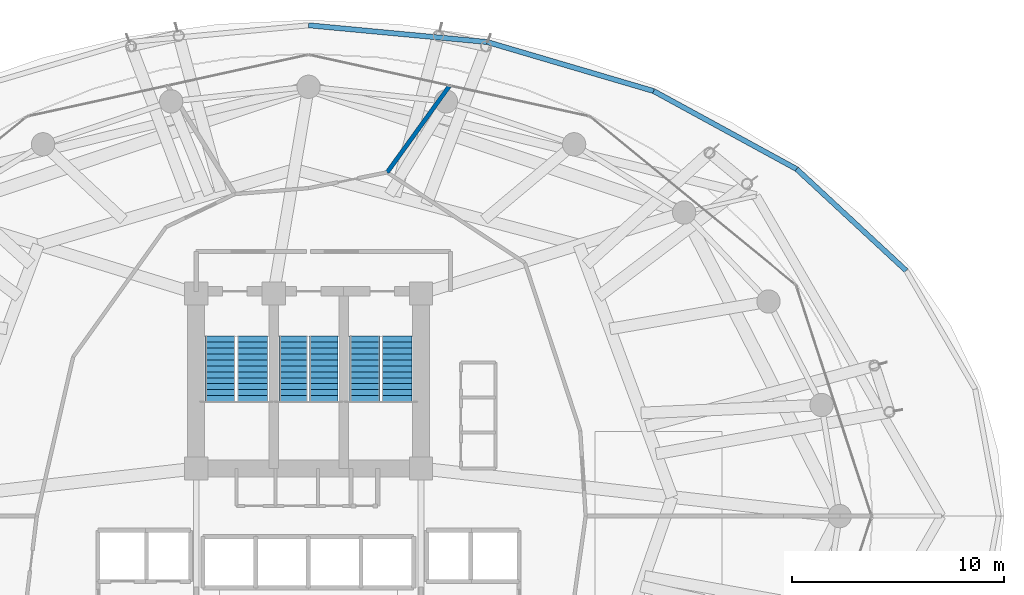
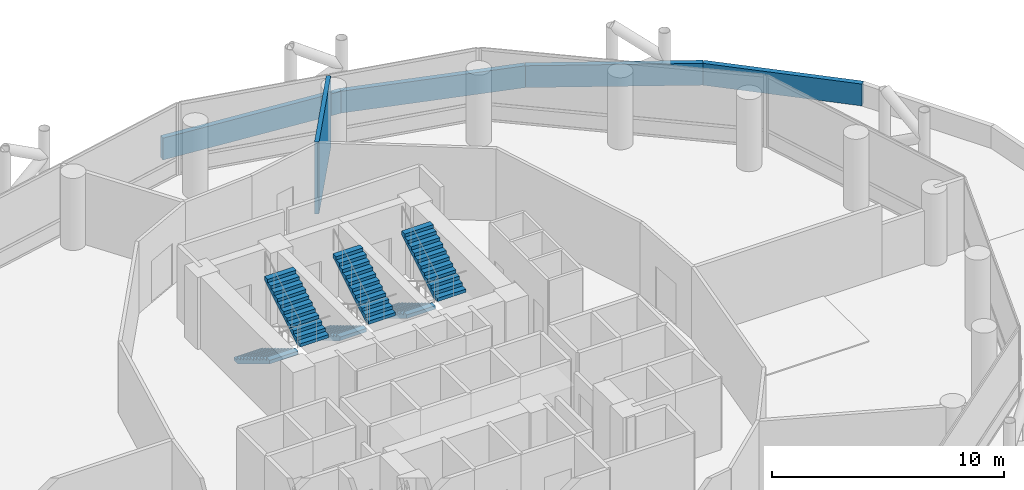
# One storey, part 32 of 37: 6 stair flights, 5 walls, 3 elements without a shape of their own.
"""IFC4 building model written with IfcOpenShell, lengths in metres."""

import ifcopenshell
import ifcopenshell.guid

model = None  # the IFC model being written
_history = None  # IfcOwnerHistory: only IFC2X3 demands one
_inside = {}  # id of a spatial element -> (the spatial element, [elements in it])
_under = {}  # id of a project, library or spatial element -> (it, [spatial elements below it])
_declared = {}  # id of a project -> (the project, [libraries it declares])
_typed = {}  # id of a type object -> (the type object, [elements of that type])
_made_of = {}  # id of a material, layer set ... -> (it, [elements and type objects made of it])


def new_model(schema):
    """Start an empty IFC model of exactly this schema.

    Asked for "IFC4X3", IfcOpenShell would pick the latest addendum, in which some entities
    have other attributes; the version numbers below select the first issue.
    IFC2X3 requires an IfcOwnerHistory on every rooted entity: one is made here for all.
    """
    global model, _history
    if schema == "IFC4X3":
        model = ifcopenshell.file(schema_version=(4, 3, 0, 0))
    else:
        model = ifcopenshell.file(schema=schema)
    _inside.clear()
    _under.clear()
    _declared.clear()
    _typed.clear()
    _made_of.clear()
    _history = None
    if model.schema == "IFC2X3":
        org = make("IfcOrganization", Name="unknown")
        user = make(
            "IfcPersonAndOrganization",
            ThePerson=make("IfcPerson", FamilyName="unknown"),
            TheOrganization=org,
        )
        app = make(
            "IfcApplication",
            ApplicationDeveloper=org,
            Version="unknown",
            ApplicationFullName="unknown",
            ApplicationIdentifier="unknown",
        )
        _history = make(
            "IfcOwnerHistory",
            OwningUser=user,
            OwningApplication=app,
            ChangeAction="ADDED",
            CreationDate=0,
        )
    return model


def make(cls, **values):
    """One entity of the class cls with the attributes given. An attribute that is None is left unset."""
    return model.create_entity(
        cls, **{name: value for name, value in values.items() if value is not None}
    )


def rooted(cls, **values):
    """An entity with a GlobalId (a new one), such as an element, a storey or a relation."""
    return make(cls, GlobalId=ifcopenshell.guid.new(), OwnerHistory=_history, **values)


def si_unit(unit_type, name, prefix=None):
    """IfcSIUnit, for example si_unit("LENGTHUNIT", "METRE", prefix="MILLI")."""
    return make("IfcSIUnit", UnitType=unit_type, Prefix=prefix, Name=name)


def assignment(units):
    """IfcUnitAssignment: the units of a project."""
    return None if units is None else make("IfcUnitAssignment", Units=units)


def point(xyz):
    """IfcCartesianPoint."""
    return None if xyz is None else make("IfcCartesianPoint", Coordinates=xyz)


def direction(xyz):
    """IfcDirection."""
    return None if xyz is None else make("IfcDirection", DirectionRatios=xyz)


def frame(location, z_axis=None, x_axis=None):
    """IfcAxis2Placement3D, a coordinate frame: its origin and axes. An axis left out is left unset."""
    return make(
        "IfcAxis2Placement3D",
        Location=point(location),
        Axis=direction(z_axis),
        RefDirection=direction(x_axis),
    )


def frame_2d(location, x_axis=None):
    """IfcAxis2Placement2D, a coordinate frame in the plane: its origin and x axis."""
    return make(
        "IfcAxis2Placement2D", Location=point(location), RefDirection=direction(x_axis)
    )


def origin():
    """The frame at (0, 0, 0) with its axes left unset."""
    return frame((0.0, 0.0, 0.0))


def place(relative_to, where):
    """IfcLocalPlacement: puts the frame where relative to a parent placement (None: the world)."""
    return make(
        "IfcLocalPlacement", PlacementRelTo=relative_to, RelativePlacement=where
    )


def context(
    kind, dimensions, precision=None, world=None, true_north=None, identifier=None
):
    """IfcGeometricRepresentationContext, for example the 3D "Model" context."""
    return make(
        "IfcGeometricRepresentationContext",
        ContextIdentifier=identifier,
        ContextType=kind,
        CoordinateSpaceDimension=dimensions,
        Precision=precision,
        WorldCoordinateSystem=world,
        TrueNorth=true_north,
    )


def subcontext(parent, identifier, kind, view, scale=None):
    """IfcGeometricRepresentationSubContext, for example "Body" below "Model"."""
    return make(
        "IfcGeometricRepresentationSubContext",
        ContextIdentifier=identifier,
        ContextType=kind,
        ParentContext=parent,
        TargetScale=scale,
        TargetView=view,
    )


def project(units=None, contexts=None):
    """IfcProject with its units and contexts."""
    return rooted(
        "IfcProject",
        Name="project",
        RepresentationContexts=contexts,
        UnitsInContext=assignment(units),
    )


def spatial(cls, under=None, at=None, **own):
    """A site, building, storey or space (cls), placed at a placement, below another one or the project."""
    s = rooted(cls, ObjectPlacement=at, **own)
    if under is not None:
        _under.setdefault(under.id(), (under, []))[1].append(s)
    return s


def polyline(points):
    """IfcPolyline through the points."""
    return make("IfcPolyline", Points=[point(p) for p in points])


def profile(cls, at=None, kind="AREA", **sizes):
    """A parametric profile (cls). Its sizes go by their IFC names, for example OverallWidth=200.0."""
    return make(cls, ProfileType=kind, Position=at, **sizes)


def rectangle(**sizes):
    """IfcRectangleProfileDef."""
    return profile("IfcRectangleProfileDef", **sizes)


def outline(outer, holes=None, kind="AREA"):
    """IfcArbitraryClosedProfileDef: a profile drawn as a closed curve; with holes, ...WithVoids."""
    if holes is None:
        return make("IfcArbitraryClosedProfileDef", ProfileType=kind, OuterCurve=outer)
    return make(
        "IfcArbitraryProfileDefWithVoids",
        ProfileType=kind,
        OuterCurve=outer,
        InnerCurves=holes,
    )


def extrude(swept, where, along, depth):
    """IfcExtrudedAreaSolid: the profile swept, set in the frame where, extruded along a direction by depth."""
    return make(
        "IfcExtrudedAreaSolid",
        SweptArea=swept,
        Position=where,
        ExtrudedDirection=direction(along),
        Depth=depth,
    )


def shape(context_of_items, identifier, shape_type, items):
    """IfcShapeRepresentation: the items that make up one representation, for example the "Body"."""
    return make(
        "IfcShapeRepresentation",
        ContextOfItems=context_of_items,
        RepresentationIdentifier=identifier,
        RepresentationType=shape_type,
        Items=items,
    )


def material(Name=None, Category=None):
    """IfcMaterial."""
    return make("IfcMaterial", Name=Name, Category=Category)


def layer(
    of_material, thickness, ventilated=None, Name=None, Category=None, Priority=None
):
    """IfcMaterialLayer: one layer of a wall or slab, of a material (None: an air gap)."""
    return make(
        "IfcMaterialLayer",
        Material=of_material,
        LayerThickness=thickness,
        IsVentilated=ventilated,
        Name=Name,
        Category=Category,
        Priority=Priority,
    )


def layer_set(layers, Name=None):
    """IfcMaterialLayerSet."""
    return make("IfcMaterialLayerSet", MaterialLayers=layers, LayerSetName=Name)


def made_of(thing, what):
    """Note that an element or type object is made of a material, layer set ...; save() writes the relation."""
    if what is not None:
        _made_of.setdefault(what.id(), (what, []))[1].append(thing)
    return thing


def type_object(cls, material=None, **own):
    """A type object (cls), such as IfcWallType, which elements share."""
    return made_of(rooted(cls, **own), material)


def element(
    cls,
    number,
    at=None,
    inside=None,
    cuts=None,
    type_object=None,
    material=None,
    context=None,
    identifier="Body",
    shape_type=None,
    held_by="IfcProductDefinitionShape",
    body=None,
    shapes=None,
    **own,
):
    """One element of the class cls, such as IfcWall. Its Tag is "e" and its number.

    at: its placement. inside: the storey or other place that contains it. cuts: it is an
    opening in that element (IfcRelVoidsElement). A single representation is given by context,
    identifier, shape_type and body (its items); several are given by shapes. held_by: the class
    of the entity that holds the representations. save() writes the other relations.
    """
    e = rooted(cls, Tag="e%d" % number, ObjectPlacement=at, **own)
    if body is not None:
        shapes = [shape(context, identifier, shape_type, body)]
    if shapes is not None:
        e.Representation = make(held_by, Representations=shapes)
    if inside is not None:
        _inside.setdefault(inside.id(), (inside, []))[1].append(e)
    if cuts is not None:
        rooted(
            "IfcRelVoidsElement", RelatingBuildingElement=cuts, RelatedOpeningElement=e
        )
    if type_object is not None:
        _typed.setdefault(type_object.id(), (type_object, []))[1].append(e)
    return made_of(e, material)


def aggregate(whole, parts):
    """IfcRelAggregates: a whole, such as a stair, and the parts it consists of."""
    return rooted("IfcRelAggregates", RelatingObject=whole, RelatedObjects=parts)


def save(model, path):
    """Write the relations noted so far, then the file.

    IfcRelAggregates (storeys below a building ...), IfcRelContainedInSpatialStructure (elements
    in a storey), IfcRelDefinesByType, IfcRelAssociatesMaterial and IfcRelDeclares: one each for
    every whole, place, type object, material and project.
    """
    for whole, parts in _under.values():
        aggregate(whole, parts)
    for where, things in _inside.values():
        rooted(
            "IfcRelContainedInSpatialStructure",
            RelatedElements=things,
            RelatingStructure=where,
        )
    for kind, things in _typed.values():
        rooted("IfcRelDefinesByType", RelatedObjects=things, RelatingType=kind)
    for what, things in _made_of.values():
        rooted("IfcRelAssociatesMaterial", RelatedObjects=things, RelatingMaterial=what)
    for by, libraries in _declared.values():
        rooted("IfcRelDeclares", RelatingContext=by, RelatedDefinitions=libraries)
    model.write(path)


model = new_model("IFC4")

# Units and contexts
model_context = context("Model", 3, precision=1e-05, world=origin(), true_north=direction((0.0, 1.0)))
body_context = subcontext(model_context, "Body", "Model", "MODEL_VIEW")
ifc_project = project(units=[si_unit("LENGTHUNIT", "METRE"), si_unit("AREAUNIT", "SQUARE_METRE"), si_unit("VOLUMEUNIT", "CUBIC_METRE"), si_unit("PLANEANGLEUNIT", "RADIAN"), si_unit("MASSUNIT", "GRAM", prefix="KILO")], contexts=[model_context])

# Site, building, storey
site_placement = place(None, origin())
site = spatial("IfcSite", under=ifc_project, at=site_placement, CompositionType="ELEMENT")
building_placement = place(site_placement, origin())
building = spatial("IfcBuilding", under=site, at=building_placement, Name="Nuhasar Tower", CompositionType="ELEMENT")
storey_placement = place(building_placement, frame((0.0, 0.0, 21.0)))
storey = spatial("IfcBuildingStorey", under=building, at=storey_placement, Name="L04", CompositionType="ELEMENT", Elevation=21.0)

# Walls
ifc_material_1 = material(Name="Concrete C45/55", Category="concrete")
ifc_layer_1 = layer(ifc_material_1, 0.239990234375)
ifc_layer_set_1 = layer_set([ifc_layer_1], Name="Concrete C45/55")
wall_type_1 = type_object("IfcWallType", Name="WL-PARAPET-240", PredefinedType="PARAPET", material=ifc_layer_set_1)
wall_1_placement = place(storey_placement, frame((67.18896484375, 38.375, 0.0), z_axis=(0.0, 0.0, 1.0), x_axis=(-0.733389888961, 0.679808260298, 0.0)))
element("IfcWall", 1, at=wall_1_placement, inside=storey, type_object=wall_type_1, Name="L04 Podium Roof Parapet 03", PredefinedType="PARAPET", context=body_context, shape_type="SweptSolid", body=[
    extrude(rectangle(XDim=7.05322265625, YDim=0.239990234375, at=frame_2d((3.526611328125, 0.0))), origin(), (0.0, 0.0, 1.0), 1.14990234375),
])
wall_2_placement = place(storey_placement, frame((62.01611328125, 43.169921875, 0.0), z_axis=(0.0, 0.0, 1.0), x_axis=(-0.877843323355, 0.47894790911, 0.0)))
element("IfcWall", 2, at=wall_2_placement, inside=storey, type_object=wall_type_1, Name="L04 Podium Roof Parapet 04", PredefinedType="PARAPET", context=body_context, shape_type="SweptSolid", body=[
    extrude(rectangle(XDim=7.67919921875, YDim=0.239990234375, at=frame_2d((3.839599609375, 0.0))), origin(), (0.0, 0.0, 1.0), 1.14990234375),
])
wall_3_placement = place(storey_placement, frame((55.27490234375, 46.847900390625, 0.0), z_axis=(0.0, 0.0, 1.0), x_axis=(-0.959226195017, 0.282639535085, 0.0)))
element("IfcWall", 3, at=wall_3_placement, inside=storey, type_object=wall_type_1, Name="L04 Podium Roof Parapet 05", PredefinedType="PARAPET", context=body_context, shape_type="SweptSolid", body=[
    extrude(rectangle(XDim=8.18359375, YDim=0.239990234375, at=frame_2d((4.091796875, 0.0))), origin(), (0.0, 0.0, 1.0), 1.14990234375),
])
wall_4_placement = place(storey_placement, frame((47.425048828125, 49.160888671875, 0.0), z_axis=(0.0, 0.0, 1.0), x_axis=(-0.995642852172, 0.093248651025, 0.0)))
element("IfcWall", 4, at=wall_4_placement, inside=storey, type_object=wall_type_1, Name="L04 Podium Roof Parapet 06", PredefinedType="PARAPET", context=body_context, shape_type="SweptSolid", body=[
    extrude(rectangle(XDim=8.4619140625, YDim=0.239990234375, at=frame_2d((4.23095703125, 0.0))), origin(), (0.0, 0.0, 1.0), 1.14990234375),
])
ifc_material_2 = material(Name="Concrete C40/50 precast", Category="concrete")
ifc_layer_2 = layer(ifc_material_2, 0.199951171875)
ifc_layer_set_2 = layer_set([ifc_layer_2], Name="Concrete C40/50 precast")
wall_type_2 = type_object("IfcWallType", Name="WL-UNIT-200", PredefinedType="PARTITIONING", material=ifc_layer_set_2)
wall_5_placement = place(storey_placement, frame((42.7080078125, 43.013916015625, 0.0), z_axis=(0.0, 0.0, 1.0), x_axis=(0.584877047309, 0.811121963413, 0.0)))
element("IfcWall", 5, at=wall_5_placement, inside=storey, type_object=wall_type_2, Name="L04 Interior Partition ORAD-10", PredefinedType="PARTITIONING", context=body_context, shape_type="SweptSolid", body=[
    extrude(rectangle(XDim=4.99951171875, YDim=0.199951171875, at=frame_2d((2.499755859375, 0.0))), origin(), (0.0, 0.0, 1.0), 3.7900390625),
])

# Stair, stair flights
stair_type_1 = type_object("IfcStairType", Name="STR-ST-01-2F-24R-1688", PredefinedType="HALF_TURN_STAIR", material=ifc_material_1)
stair_1_placement = place(storey_placement, origin())
stair_1 = element("IfcStair", 6, at=stair_1_placement, inside=storey, type_object=stair_type_1, Name="L04 Exit Stair ST-01", PredefinedType="HALF_TURN_STAIR")
stair_flight_type_1 = type_object("IfcStairFlightType", Name="SFL-ST-01-12R-1688", PredefinedType="STRAIGHT", material=ifc_material_1)
stair_flight_1_placement = place(storey_placement, frame((34.830078125, 35.284912109375, 0.0), z_axis=(0.0, 0.0, 1.0), x_axis=(0.0, -1.0, 0.0)))
stair_flight_1 = element("IfcStairFlight", 7, at=stair_flight_1_placement, type_object=stair_flight_type_1, Name="ST-01 flight 1", NumberOfRisers=12, NumberOfTreads=11, PredefinedType="STRAIGHT", RiserHeight=0.16875, TreadLength=0.28, context=body_context, shape_type="SweptSolid", body=[
    extrude(outline(polyline([(0.0, 0.0), (0.0, 0.168701171875), (0.280029296875, 0.168701171875), (0.280029296875, 0.33740234375), (0.56005859375, 0.33740234375), (0.56005859375, 0.50634765625), (0.840087890625, 0.50634765625), (0.840087890625, 0.675048828125), (1.1201171875, 0.675048828125), (1.1201171875, 0.84375), (1.39990234375, 0.84375), (1.39990234375, 1.012451171875), (1.679931640625, 1.012451171875), (1.679931640625, 1.18115234375), (1.9599609375, 1.18115234375), (1.9599609375, 1.35009765625), (2.239990234375, 1.35009765625), (2.239990234375, 1.518798828125), (2.52001953125, 1.518798828125), (2.52001953125, 1.6875), (2.800048828125, 1.6875), (2.800048828125, 1.856201171875), (3.080078125, 1.856201171875), (3.080078125, 2.02490234375), (3.080078125, 1.66943359375), (0.309814453125, 0.0), (0.0, 0.0)])), frame((0.0, 0.7099609375, 0.0), z_axis=(0.0, -1.0, 0.0), x_axis=(1.0, 0.0, 0.0)), (0.0, 0.0, 1.0), 1.419921875),
])
stair_flight_2_placement = place(storey_placement, frame((36.35009765625, 32.205078125, 2.02490234375), z_axis=(0.0, 0.0, 1.0), x_axis=(0.0, 1.0, 0.0)))
stair_flight_2 = element("IfcStairFlight", 8, at=stair_flight_2_placement, type_object=stair_flight_type_1, Name="ST-01 flight 2", NumberOfRisers=12, NumberOfTreads=11, PredefinedType="STRAIGHT", RiserHeight=0.16875, TreadLength=0.28, context=body_context, shape_type="SweptSolid", body=[
    extrude(outline(polyline([(0.0, 0.0), (0.0, 0.168701171875), (0.280029296875, 0.168701171875), (0.280029296875, 0.33740234375), (0.56005859375, 0.33740234375), (0.56005859375, 0.50634765625), (0.840087890625, 0.50634765625), (0.840087890625, 0.675048828125), (1.1201171875, 0.675048828125), (1.1201171875, 0.84375), (1.39990234375, 0.84375), (1.39990234375, 1.012451171875), (1.679931640625, 1.012451171875), (1.679931640625, 1.18115234375), (1.9599609375, 1.18115234375), (1.9599609375, 1.35009765625), (2.239990234375, 1.35009765625), (2.239990234375, 1.518798828125), (2.52001953125, 1.518798828125), (2.52001953125, 1.6875), (2.800048828125, 1.6875), (2.800048828125, 1.856201171875), (3.080078125, 1.856201171875), (3.080078125, 2.02490234375), (3.080078125, 1.66943359375), (0.309814453125, 0.0), (0.0, 0.0)])), frame((0.0, 0.7099609375, 0.0), z_axis=(0.0, -1.0, 0.0), x_axis=(1.0, 0.0, 0.0)), (0.0, 0.0, 1.0), 1.419921875),
])
aggregate(stair_1, [stair_flight_1, stair_flight_2])

stair_type_2 = type_object("IfcStairType", Name="STR-ST-02-2F-24R-1688", PredefinedType="HALF_TURN_STAIR", material=ifc_material_1)
stair_2_placement = place(storey_placement, origin())
stair_2 = element("IfcStair", 9, at=stair_2_placement, inside=storey, type_object=stair_type_2, Name="L04 Exit Stair ST-02", PredefinedType="HALF_TURN_STAIR")
stair_flight_type_2 = type_object("IfcStairFlightType", Name="SFL-ST-02-12R-1688", PredefinedType="STRAIGHT", material=ifc_material_1)
stair_flight_3_placement = place(storey_placement, frame((41.64990234375, 35.284912109375, 0.0), z_axis=(0.0, 0.0, 1.0), x_axis=(0.0, -1.0, 0.0)))
stair_flight_3 = element("IfcStairFlight", 10, at=stair_flight_3_placement, type_object=stair_flight_type_2, Name="ST-02 flight 1", NumberOfRisers=12, NumberOfTreads=11, PredefinedType="STRAIGHT", RiserHeight=0.16875, TreadLength=0.28, context=body_context, shape_type="SweptSolid", body=[
    extrude(outline(polyline([(0.0, 0.0), (0.0, 0.168701171875), (0.280029296875, 0.168701171875), (0.280029296875, 0.33740234375), (0.56005859375, 0.33740234375), (0.56005859375, 0.50634765625), (0.840087890625, 0.50634765625), (0.840087890625, 0.675048828125), (1.1201171875, 0.675048828125), (1.1201171875, 0.84375), (1.39990234375, 0.84375), (1.39990234375, 1.012451171875), (1.679931640625, 1.012451171875), (1.679931640625, 1.18115234375), (1.9599609375, 1.18115234375), (1.9599609375, 1.35009765625), (2.239990234375, 1.35009765625), (2.239990234375, 1.518798828125), (2.52001953125, 1.518798828125), (2.52001953125, 1.6875), (2.800048828125, 1.6875), (2.800048828125, 1.856201171875), (3.080078125, 1.856201171875), (3.080078125, 2.02490234375), (3.080078125, 1.66943359375), (0.309814453125, 0.0), (0.0, 0.0)])), frame((0.0, 0.7099609375, 0.0), z_axis=(0.0, -1.0, 0.0), x_axis=(1.0, 0.0, 0.0)), (0.0, 0.0, 1.0), 1.419921875),
])
stair_flight_4_placement = place(storey_placement, frame((43.169921875, 32.205078125, 2.02490234375), z_axis=(0.0, 0.0, 1.0), x_axis=(0.0, 1.0, 0.0)))
stair_flight_4 = element("IfcStairFlight", 11, at=stair_flight_4_placement, type_object=stair_flight_type_2, Name="ST-02 flight 2", NumberOfRisers=12, NumberOfTreads=11, PredefinedType="STRAIGHT", RiserHeight=0.16875, TreadLength=0.28, context=body_context, shape_type="SweptSolid", body=[
    extrude(outline(polyline([(0.0, 0.0), (0.0, 0.168701171875), (0.280029296875, 0.168701171875), (0.280029296875, 0.33740234375), (0.56005859375, 0.33740234375), (0.56005859375, 0.50634765625), (0.840087890625, 0.50634765625), (0.840087890625, 0.675048828125), (1.1201171875, 0.675048828125), (1.1201171875, 0.84375), (1.39990234375, 0.84375), (1.39990234375, 1.012451171875), (1.679931640625, 1.012451171875), (1.679931640625, 1.18115234375), (1.9599609375, 1.18115234375), (1.9599609375, 1.35009765625), (2.239990234375, 1.35009765625), (2.239990234375, 1.518798828125), (2.52001953125, 1.518798828125), (2.52001953125, 1.6875), (2.800048828125, 1.6875), (2.800048828125, 1.856201171875), (3.080078125, 1.856201171875), (3.080078125, 2.02490234375), (3.080078125, 1.66943359375), (0.309814453125, 0.0), (0.0, 0.0)])), frame((0.0, 0.7099609375, 0.0), z_axis=(0.0, -1.0, 0.0), x_axis=(1.0, 0.0, 0.0)), (0.0, 0.0, 1.0), 1.419921875),
])
aggregate(stair_2, [stair_flight_3, stair_flight_4])

stair_type_3 = type_object("IfcStairType", Name="STR-ST-03-2F-24R-1688", PredefinedType="HALF_TURN_STAIR", material=ifc_material_1)
stair_3_placement = place(storey_placement, origin())
stair_3 = element("IfcStair", 12, at=stair_3_placement, inside=storey, type_object=stair_type_3, Name="L04 Exit Stair ST-03", PredefinedType="HALF_TURN_STAIR")
stair_flight_type_3 = type_object("IfcStairFlightType", Name="SFL-ST-03-12R-1688", PredefinedType="STRAIGHT", material=ifc_material_1)
stair_flight_5_placement = place(storey_placement, frame((38.280029296875, 35.284912109375, 0.0), z_axis=(0.0, 0.0, 1.0), x_axis=(0.0, -1.0, 0.0)))
stair_flight_5 = element("IfcStairFlight", 13, at=stair_flight_5_placement, type_object=stair_flight_type_3, Name="ST-03 flight 1", NumberOfRisers=12, NumberOfTreads=11, PredefinedType="STRAIGHT", RiserHeight=0.16875, TreadLength=0.28, context=body_context, shape_type="SweptSolid", body=[
    extrude(outline(polyline([(0.0, 0.0), (0.0, 0.168701171875), (0.280029296875, 0.168701171875), (0.280029296875, 0.33740234375), (0.56005859375, 0.33740234375), (0.56005859375, 0.50634765625), (0.840087890625, 0.50634765625), (0.840087890625, 0.675048828125), (1.1201171875, 0.675048828125), (1.1201171875, 0.84375), (1.39990234375, 0.84375), (1.39990234375, 1.012451171875), (1.679931640625, 1.012451171875), (1.679931640625, 1.18115234375), (1.9599609375, 1.18115234375), (1.9599609375, 1.35009765625), (2.239990234375, 1.35009765625), (2.239990234375, 1.518798828125), (2.52001953125, 1.518798828125), (2.52001953125, 1.6875), (2.800048828125, 1.6875), (2.800048828125, 1.856201171875), (3.080078125, 1.856201171875), (3.080078125, 2.02490234375), (3.080078125, 1.66943359375), (0.309814453125, 0.0), (0.0, 0.0)])), frame((0.0, 0.669921875, 0.0), z_axis=(0.0, -1.0, 0.0), x_axis=(1.0, 0.0, 0.0)), (0.0, 0.0, 1.0), 1.340087890625),
])
stair_flight_6_placement = place(storey_placement, frame((39.719970703125, 32.205078125, 2.02490234375), z_axis=(0.0, 0.0, 1.0), x_axis=(0.0, 1.0, 0.0)))
stair_flight_6 = element("IfcStairFlight", 14, at=stair_flight_6_placement, type_object=stair_flight_type_3, Name="ST-03 flight 2", NumberOfRisers=12, NumberOfTreads=11, PredefinedType="STRAIGHT", RiserHeight=0.16875, TreadLength=0.28, context=body_context, shape_type="SweptSolid", body=[
    extrude(outline(polyline([(0.0, 0.0), (0.0, 0.168701171875), (0.280029296875, 0.168701171875), (0.280029296875, 0.33740234375), (0.56005859375, 0.33740234375), (0.56005859375, 0.50634765625), (0.840087890625, 0.50634765625), (0.840087890625, 0.675048828125), (1.1201171875, 0.675048828125), (1.1201171875, 0.84375), (1.39990234375, 0.84375), (1.39990234375, 1.012451171875), (1.679931640625, 1.012451171875), (1.679931640625, 1.18115234375), (1.9599609375, 1.18115234375), (1.9599609375, 1.35009765625), (2.239990234375, 1.35009765625), (2.239990234375, 1.518798828125), (2.52001953125, 1.518798828125), (2.52001953125, 1.6875), (2.800048828125, 1.6875), (2.800048828125, 1.856201171875), (3.080078125, 1.856201171875), (3.080078125, 2.02490234375), (3.080078125, 1.66943359375), (0.309814453125, 0.0), (0.0, 0.0)])), frame((0.0, 0.669921875, 0.0), z_axis=(0.0, -1.0, 0.0), x_axis=(1.0, 0.0, 0.0)), (0.0, 0.0, 1.0), 1.340087890625),
])
aggregate(stair_3, [stair_flight_5, stair_flight_6])

save(model, "model.ifc")
